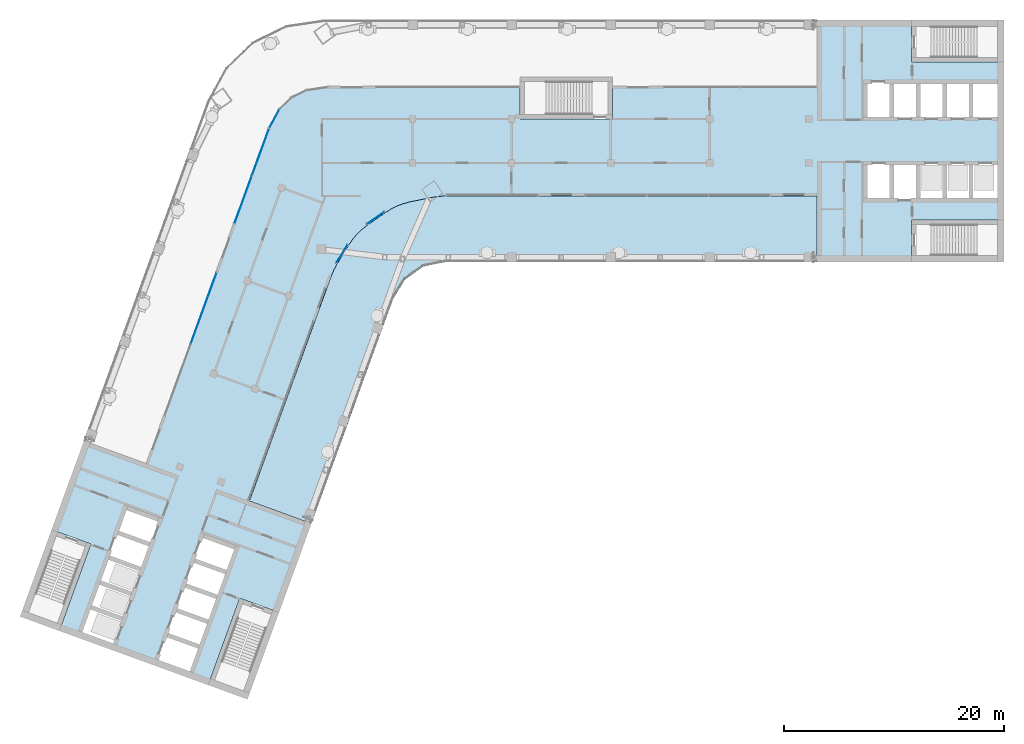
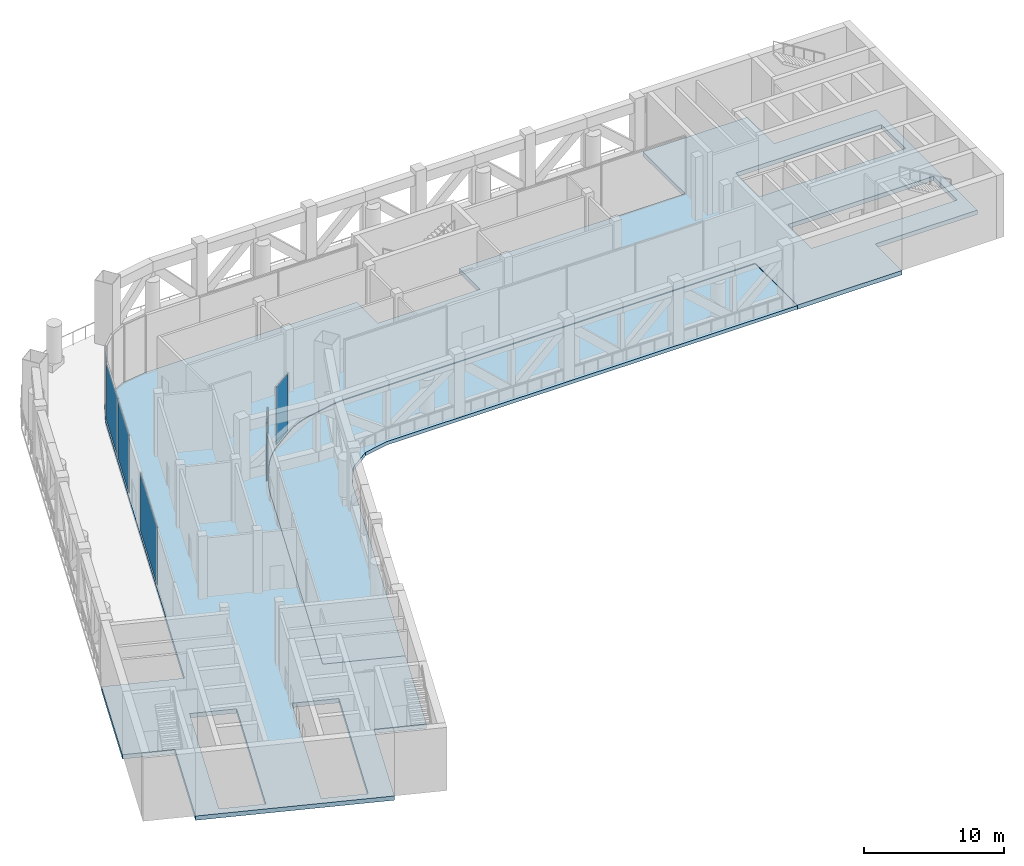
# One storey, part 8 of 19: 6 plates, 2 slabs, 5 elements without a shape of their own.
"""IFC4 building model written with IfcOpenShell, lengths in metres."""

import ifcopenshell
import ifcopenshell.guid

model = None  # the IFC model being written
_history = None  # IfcOwnerHistory: only IFC2X3 demands one
_inside = {}  # id of a spatial element -> (the spatial element, [elements in it])
_under = {}  # id of a project, library or spatial element -> (it, [spatial elements below it])
_declared = {}  # id of a project -> (the project, [libraries it declares])
_typed = {}  # id of a type object -> (the type object, [elements of that type])
_made_of = {}  # id of a material, layer set ... -> (it, [elements and type objects made of it])


def new_model(schema):
    """Start an empty IFC model of exactly this schema.

    Asked for "IFC4X3", IfcOpenShell would pick the latest addendum, in which some entities
    have other attributes; the version numbers below select the first issue.
    IFC2X3 requires an IfcOwnerHistory on every rooted entity: one is made here for all.
    """
    global model, _history
    if schema == "IFC4X3":
        model = ifcopenshell.file(schema_version=(4, 3, 0, 0))
    else:
        model = ifcopenshell.file(schema=schema)
    _inside.clear()
    _under.clear()
    _declared.clear()
    _typed.clear()
    _made_of.clear()
    _history = None
    if model.schema == "IFC2X3":
        org = make("IfcOrganization", Name="unknown")
        user = make(
            "IfcPersonAndOrganization",
            ThePerson=make("IfcPerson", FamilyName="unknown"),
            TheOrganization=org,
        )
        app = make(
            "IfcApplication",
            ApplicationDeveloper=org,
            Version="unknown",
            ApplicationFullName="unknown",
            ApplicationIdentifier="unknown",
        )
        _history = make(
            "IfcOwnerHistory",
            OwningUser=user,
            OwningApplication=app,
            ChangeAction="ADDED",
            CreationDate=0,
        )
    return model


def make(cls, **values):
    """One entity of the class cls with the attributes given. An attribute that is None is left unset."""
    return model.create_entity(
        cls, **{name: value for name, value in values.items() if value is not None}
    )


def rooted(cls, **values):
    """An entity with a GlobalId (a new one), such as an element, a storey or a relation."""
    return make(cls, GlobalId=ifcopenshell.guid.new(), OwnerHistory=_history, **values)


def si_unit(unit_type, name, prefix=None):
    """IfcSIUnit, for example si_unit("LENGTHUNIT", "METRE", prefix="MILLI")."""
    return make("IfcSIUnit", UnitType=unit_type, Prefix=prefix, Name=name)


def assignment(units):
    """IfcUnitAssignment: the units of a project."""
    return None if units is None else make("IfcUnitAssignment", Units=units)


def point(xyz):
    """IfcCartesianPoint."""
    return None if xyz is None else make("IfcCartesianPoint", Coordinates=xyz)


def direction(xyz):
    """IfcDirection."""
    return None if xyz is None else make("IfcDirection", DirectionRatios=xyz)


def frame(location, z_axis=None, x_axis=None):
    """IfcAxis2Placement3D, a coordinate frame: its origin and axes. An axis left out is left unset."""
    return make(
        "IfcAxis2Placement3D",
        Location=point(location),
        Axis=direction(z_axis),
        RefDirection=direction(x_axis),
    )


def frame_2d(location, x_axis=None):
    """IfcAxis2Placement2D, a coordinate frame in the plane: its origin and x axis."""
    return make(
        "IfcAxis2Placement2D", Location=point(location), RefDirection=direction(x_axis)
    )


def origin():
    """The frame at (0, 0, 0) with its axes left unset."""
    return frame((0.0, 0.0, 0.0))


def origin_2d():
    """The frame at (0, 0) in the plane with its x axis left unset."""
    return frame_2d((0.0, 0.0))


def place(relative_to, where):
    """IfcLocalPlacement: puts the frame where relative to a parent placement (None: the world)."""
    return make(
        "IfcLocalPlacement", PlacementRelTo=relative_to, RelativePlacement=where
    )


def context(
    kind, dimensions, precision=None, world=None, true_north=None, identifier=None
):
    """IfcGeometricRepresentationContext, for example the 3D "Model" context."""
    return make(
        "IfcGeometricRepresentationContext",
        ContextIdentifier=identifier,
        ContextType=kind,
        CoordinateSpaceDimension=dimensions,
        Precision=precision,
        WorldCoordinateSystem=world,
        TrueNorth=true_north,
    )


def subcontext(parent, identifier, kind, view, scale=None):
    """IfcGeometricRepresentationSubContext, for example "Body" below "Model"."""
    return make(
        "IfcGeometricRepresentationSubContext",
        ContextIdentifier=identifier,
        ContextType=kind,
        ParentContext=parent,
        TargetScale=scale,
        TargetView=view,
    )


def project(units=None, contexts=None):
    """IfcProject with its units and contexts."""
    return rooted(
        "IfcProject",
        Name="project",
        RepresentationContexts=contexts,
        UnitsInContext=assignment(units),
    )


def spatial(cls, under=None, at=None, **own):
    """A site, building, storey or space (cls), placed at a placement, below another one or the project."""
    s = rooted(cls, ObjectPlacement=at, **own)
    if under is not None:
        _under.setdefault(under.id(), (under, []))[1].append(s)
    return s


def polyline(points):
    """IfcPolyline through the points."""
    return make("IfcPolyline", Points=[point(p) for p in points])


def profile(cls, at=None, kind="AREA", **sizes):
    """A parametric profile (cls). Its sizes go by their IFC names, for example OverallWidth=200.0."""
    return make(cls, ProfileType=kind, Position=at, **sizes)


def rectangle(**sizes):
    """IfcRectangleProfileDef."""
    return profile("IfcRectangleProfileDef", **sizes)


def outline(outer, holes=None, kind="AREA"):
    """IfcArbitraryClosedProfileDef: a profile drawn as a closed curve; with holes, ...WithVoids."""
    if holes is None:
        return make("IfcArbitraryClosedProfileDef", ProfileType=kind, OuterCurve=outer)
    return make(
        "IfcArbitraryProfileDefWithVoids",
        ProfileType=kind,
        OuterCurve=outer,
        InnerCurves=holes,
    )


def extrude(swept, where, along, depth):
    """IfcExtrudedAreaSolid: the profile swept, set in the frame where, extruded along a direction by depth."""
    return make(
        "IfcExtrudedAreaSolid",
        SweptArea=swept,
        Position=where,
        ExtrudedDirection=direction(along),
        Depth=depth,
    )


def shape(context_of_items, identifier, shape_type, items):
    """IfcShapeRepresentation: the items that make up one representation, for example the "Body"."""
    return make(
        "IfcShapeRepresentation",
        ContextOfItems=context_of_items,
        RepresentationIdentifier=identifier,
        RepresentationType=shape_type,
        Items=items,
    )


def material(Name=None, Category=None):
    """IfcMaterial."""
    return make("IfcMaterial", Name=Name, Category=Category)


def layer(
    of_material, thickness, ventilated=None, Name=None, Category=None, Priority=None
):
    """IfcMaterialLayer: one layer of a wall or slab, of a material (None: an air gap)."""
    return make(
        "IfcMaterialLayer",
        Material=of_material,
        LayerThickness=thickness,
        IsVentilated=ventilated,
        Name=Name,
        Category=Category,
        Priority=Priority,
    )


def layer_set(layers, Name=None):
    """IfcMaterialLayerSet."""
    return make("IfcMaterialLayerSet", MaterialLayers=layers, LayerSetName=Name)


def made_of(thing, what):
    """Note that an element or type object is made of a material, layer set ...; save() writes the relation."""
    if what is not None:
        _made_of.setdefault(what.id(), (what, []))[1].append(thing)
    return thing


def type_object(cls, material=None, **own):
    """A type object (cls), such as IfcWallType, which elements share."""
    return made_of(rooted(cls, **own), material)


def element(
    cls,
    number,
    at=None,
    inside=None,
    cuts=None,
    type_object=None,
    material=None,
    context=None,
    identifier="Body",
    shape_type=None,
    held_by="IfcProductDefinitionShape",
    body=None,
    shapes=None,
    **own,
):
    """One element of the class cls, such as IfcWall. Its Tag is "e" and its number.

    at: its placement. inside: the storey or other place that contains it. cuts: it is an
    opening in that element (IfcRelVoidsElement). A single representation is given by context,
    identifier, shape_type and body (its items); several are given by shapes. held_by: the class
    of the entity that holds the representations. save() writes the other relations.
    """
    e = rooted(cls, Tag="e%d" % number, ObjectPlacement=at, **own)
    if body is not None:
        shapes = [shape(context, identifier, shape_type, body)]
    if shapes is not None:
        e.Representation = make(held_by, Representations=shapes)
    if inside is not None:
        _inside.setdefault(inside.id(), (inside, []))[1].append(e)
    if cuts is not None:
        rooted(
            "IfcRelVoidsElement", RelatingBuildingElement=cuts, RelatedOpeningElement=e
        )
    if type_object is not None:
        _typed.setdefault(type_object.id(), (type_object, []))[1].append(e)
    return made_of(e, material)


def aggregate(whole, parts):
    """IfcRelAggregates: a whole, such as a stair, and the parts it consists of."""
    return rooted("IfcRelAggregates", RelatingObject=whole, RelatedObjects=parts)


def save(model, path):
    """Write the relations noted so far, then the file.

    IfcRelAggregates (storeys below a building ...), IfcRelContainedInSpatialStructure (elements
    in a storey), IfcRelDefinesByType, IfcRelAssociatesMaterial and IfcRelDeclares: one each for
    every whole, place, type object, material and project.
    """
    for whole, parts in _under.values():
        aggregate(whole, parts)
    for where, things in _inside.values():
        rooted(
            "IfcRelContainedInSpatialStructure",
            RelatedElements=things,
            RelatingStructure=where,
        )
    for kind, things in _typed.values():
        rooted("IfcRelDefinesByType", RelatedObjects=things, RelatingType=kind)
    for what, things in _made_of.values():
        rooted("IfcRelAssociatesMaterial", RelatedObjects=things, RelatingMaterial=what)
    for by, libraries in _declared.values():
        rooted("IfcRelDeclares", RelatingContext=by, RelatedDefinitions=libraries)
    model.write(path)


model = new_model("IFC4")

# Units and contexts
model_context = context("Model", 3, precision=1e-05, world=origin(), true_north=direction((0.0, 1.0)))
body_context = subcontext(model_context, "Body", "Model", "MODEL_VIEW")
ifc_project = project(units=[si_unit("LENGTHUNIT", "METRE"), si_unit("AREAUNIT", "SQUARE_METRE"), si_unit("VOLUMEUNIT", "CUBIC_METRE"), si_unit("PLANEANGLEUNIT", "RADIAN"), si_unit("MASSUNIT", "GRAM", prefix="KILO")], contexts=[model_context])

# Site, building, storey
site_placement = place(None, origin())
site = spatial("IfcSite", under=ifc_project, at=site_placement, CompositionType="ELEMENT")
building_placement = place(site_placement, origin())
building = spatial("IfcBuilding", under=site, at=building_placement, Name="Skarvind Civic Tower", CompositionType="ELEMENT")
storey_placement = place(building_placement, frame((0.0, 0.0, 129.0)))
storey = spatial("IfcBuildingStorey", under=building, at=storey_placement, Name="L30", CompositionType="ELEMENT", Elevation=129.0)

# Curtain wall, plate
ifc_material_1 = material(Name="Aluminium alloy 6063 and laminated glass", Category="aluminium")
curtain_wall_type = type_object("IfcCurtainWallType", Name="CW3 SEPARATOR INNER GLAZING", PredefinedType="NOTDEFINED", material=ifc_material_1)
curtain_wall_1_placement = place(storey_placement, origin())
curtain_wall_1 = element("IfcCurtainWall", 1, at=curtain_wall_1_placement, inside=storey, type_object=curtain_wall_type, Name="SEPARATOR INNER GLAZING", PredefinedType="NOTDEFINED")
ifc_material_2 = material(Name="Laminated low-iron glass", Category="glass")
ifc_layer_1 = layer(ifc_material_2, 0.031982421875)
ifc_layer_set_1 = layer_set([ifc_layer_1], Name="CW3 GLASS PANEL 32")
plate_type = type_object("IfcPlateType", Name="CW3 GLASS PANEL 32", PredefinedType="CURTAIN_PANEL", material=ifc_layer_set_1)
plate_1_placement = place(storey_placement, frame((47.825927734375, 117.737548828125, 0.06005859375), z_axis=(0.0, 0.0, 1.0), x_axis=(-0.522416226992, -0.852690615508, 0.0)))
plate_1 = element("IfcPlate", 2, at=plate_1_placement, type_object=plate_type, Name="CW3 panel 1.1", PredefinedType="CURTAIN_PANEL", context=body_context, shape_type="SweptSolid", body=[
    extrude(rectangle(XDim=1.92236328125, YDim=0.031982421875, at=origin_2d()), origin(), (0.0, 0.0, 1.0), 5.0048828125),
])
aggregate(curtain_wall_1, [plate_1])

curtain_wall_2_placement = place(storey_placement, origin())
curtain_wall_2 = element("IfcCurtainWall", 3, at=curtain_wall_2_placement, inside=storey, type_object=curtain_wall_type, Name="SEPARATOR INNER GLAZING", PredefinedType="NOTDEFINED")
plate_2_placement = place(storey_placement, frame((50.8984375, 121.004150390625, 0.06005859375), z_axis=(0.0, 0.0, 1.0), x_axis=(-0.819146796665, -0.573583930662, 0.0)))
plate_2 = element("IfcPlate", 4, at=plate_2_placement, type_object=plate_type, Name="CW3 panel 1.1", PredefinedType="CURTAIN_PANEL", context=body_context, shape_type="SweptSolid", body=[
    extrude(rectangle(XDim=1.92236328125, YDim=0.031982421875, at=origin_2d()), origin(), (0.0, 0.0, 1.0), 5.0048828125),
])
aggregate(curtain_wall_2, [plate_2])

curtain_wall_3_placement = place(storey_placement, origin())
curtain_wall_3 = element("IfcCurtainWall", 5, at=curtain_wall_3_placement, inside=storey, type_object=curtain_wall_type, Name="SEPARATOR INNER GLAZING", PredefinedType="NOTDEFINED")
plate_3_placement = place(storey_placement, frame((41.68505859375, 130.04150390625, 0.06005859375), z_axis=(0.0, 0.0, 1.0), x_axis=(0.476545305268, 0.879149914421, 0.0)))
plate_3 = element("IfcPlate", 6, at=plate_3_placement, type_object=plate_type, Name="CW3 panel 1.1", PredefinedType="CURTAIN_PANEL", context=body_context, shape_type="SweptSolid", body=[
    extrude(rectangle(XDim=1.89501953125, YDim=0.031982421875, at=origin_2d()), origin(), (0.0, 0.0, 1.0), 5.0048828125),
])
aggregate(curtain_wall_3, [plate_3])

curtain_wall_4_placement = place(storey_placement, origin())
curtain_wall_4 = element("IfcCurtainWall", 7, at=curtain_wall_4_placement, inside=storey, type_object=curtain_wall_type, Name="SEPARATOR INNER GLAZING", PredefinedType="NOTDEFINED")
plate_4_placement = place(storey_placement, frame((35.25830078125, 112.814208984375, 0.06005859375), z_axis=(0.0, 0.0, 1.0), x_axis=(0.342021813854, 0.939692012762, 0.0)))
plate_4 = element("IfcPlate", 8, at=plate_4_placement, type_object=plate_type, Name="CW3 panel 2.1", PredefinedType="CURTAIN_PANEL", context=body_context, shape_type="SweptSolid", body=[
    extrude(rectangle(XDim=6.86572265625, YDim=0.031982421875, at=origin_2d()), origin(), (0.0, 0.0, 1.0), 5.0048828125),
])
aggregate(curtain_wall_4, [plate_4])

# Curtain wall, plates
curtain_wall_5_placement = place(storey_placement, origin())
curtain_wall_5 = element("IfcCurtainWall", 9, at=curtain_wall_5_placement, inside=storey, type_object=curtain_wall_type, Name="SEPARATOR INNER GLAZING", PredefinedType="NOTDEFINED")
plate_5_placement = place(storey_placement, frame((38.837158203125, 122.64697265625, 0.06005859375), z_axis=(0.0, 0.0, 1.0), x_axis=(0.342026142657, 0.939690437186, 0.0)))
plate_5 = element("IfcPlate", 10, at=plate_5_placement, type_object=plate_type, Name="CW3 panel 1.1", PredefinedType="CURTAIN_PANEL", context=body_context, shape_type="SweptSolid", body=[
    extrude(rectangle(XDim=4.547119140625, YDim=0.031982421875, at=origin_2d()), origin(), (0.0, 0.0, 1.0), 5.0048828125),
])
plate_6_placement = place(storey_placement, frame((40.412841796875, 126.976318359375, 0.06005859375), z_axis=(0.0, 0.0, 1.0), x_axis=(0.342026142657, 0.939690437186, 0.0)))
plate_6 = element("IfcPlate", 11, at=plate_6_placement, type_object=plate_type, Name="CW3 panel 2.1", PredefinedType="CURTAIN_PANEL", context=body_context, shape_type="SweptSolid", body=[
    extrude(rectangle(XDim=4.547119140625, YDim=0.031982421875, at=origin_2d()), origin(), (0.0, 0.0, 1.0), 5.0048828125),
])
aggregate(curtain_wall_5, [plate_5, plate_6])

# Slabs
ifc_material_3 = material(Name="Concrete C50", Category="concrete")
ifc_layer_2 = layer(ifc_material_3, 0.375)
ifc_layer_set_2 = layer_set([ifc_layer_2], Name="Floor slab 375 C50")
slab_type_1 = type_object("IfcSlabType", Name="Floor slab 375 C50", PredefinedType="FLOOR", material=ifc_layer_set_2)
slab_1_placement = place(storey_placement, frame((0.0, 0.0, -0.375)))
element("IfcSlab", 12, at=slab_1_placement, inside=storey, type_object=slab_type_1, Name="Floor slab L30 1", PredefinedType="FLOOR", context=body_context, shape_type="SweptSolid", body=[
    extrude(outline(polyline([(41.1171875, 129.203369140625), (30.014892578125, 98.7001953125), (24.376708984375, 100.75244140625), (22.904541015625, 96.70751953125), (19.475341796875, 87.2861328125), (19.41748046875, 87.126708984375), (21.435302734375, 92.6708984375), (25.006103515625, 91.371337890625), (22.13330078125, 83.477783203125), (36.886474609375, 78.108154296875), (35.664794921875, 78.552734375), (38.53759765625, 86.4462890625), (42.108642578125, 85.146484375), (42.015380859375, 84.890625), (45.050048828125, 93.227783203125), (39.411865234375, 95.280029296875), (46.855712890625, 115.732421875), (47.089599609375, 116.28662109375), (47.377685546875, 116.814697265625), (48.444580078125, 118.55615234375), (48.79248046875, 119.0634765625), (49.1904296875, 119.532470703125), (49.63427734375, 119.95849609375), (50.119384765625, 120.336669921875), (51.79248046875, 121.508056640625), (52.313720703125, 121.83447265625), (52.865478515625, 122.10595703125), (53.4423828125, 122.3193359375), (54.0380859375, 122.47265625), (56.03955078125, 122.879638671875), (56.63427734375, 122.9697265625), (57.235107421875, 123.0), (91.0, 123.0), (91.0, 117.0), (99.60009765625, 117.0), (99.60009765625, 120.800048828125), (108.0, 120.800048828125), (108.0, 135.199951171875), (99.60009765625, 135.199951171875), (99.60009765625, 139.0), (91.0, 139.0), (91.0, 133.0), (72.39990234375, 133.0), (72.39990234375, 130.0), (64.0, 130.0), (64.0, 133.0), (46.539306640625, 133.0), (44.5458984375, 132.70361328125), (43.17724609375, 132.031494140625), (42.077392578125, 130.97509765625), (41.1171875, 129.203369140625)]), holes=[polyline([(32.625244140625, 85.40576171875), (32.625244140625, 85.40576171875), (33.446044921875, 87.660888671875), (34.26708984375, 89.916259765625), (35.087890625, 92.17138671875), (38.28271484375, 91.008544921875), (37.4619140625, 88.75341796875), (36.64111328125, 86.498046875), (35.8203125, 84.242919921875), (35.8203125, 84.242919921875), (34.99951171875, 81.987548828125), (34.178466796875, 79.732421875), (30.983642578125, 80.89501953125), (31.804443359375, 83.150390625), (32.625244140625, 85.40576171875)]), polyline([(25.671630859375, 87.9365234375), (25.671630859375, 87.9365234375), (26.492431640625, 90.19189453125), (27.313232421875, 92.447021484375), (28.134033203125, 94.702392578125), (31.3291015625, 93.53955078125), (30.50830078125, 91.2841796875), (29.6875, 89.029052734375), (28.866455078125, 86.773681640625), (28.866455078125, 86.773681640625), (28.045654296875, 84.5185546875), (27.224853515625, 82.26318359375), (24.02978515625, 83.426025390625), (24.8505859375, 85.681396484375), (25.671630859375, 87.9365234375)]), polyline([(100.199951171875, 126.0), (102.60009765625, 126.0), (105.0, 126.0), (107.39990234375, 126.0), (107.39990234375, 122.60009765625), (105.0, 122.60009765625), (102.60009765625, 122.60009765625), (100.199951171875, 122.60009765625), (97.800048828125, 122.60009765625), (95.39990234375, 122.60009765625), (95.39990234375, 126.0), (97.800048828125, 126.0), (100.199951171875, 126.0)]), polyline([(102.60009765625, 133.39990234375), (105.0, 133.39990234375), (107.39990234375, 133.39990234375), (107.39990234375, 130.0), (105.0, 130.0), (102.60009765625, 130.0), (100.199951171875, 130.0), (97.800048828125, 130.0), (95.39990234375, 130.0), (95.39990234375, 133.39990234375), (97.800048828125, 133.39990234375), (100.199951171875, 133.39990234375), (102.60009765625, 133.39990234375)])]), origin(), (0.0, 0.0, 1.0), 0.375),
])
ifc_layer_3 = layer(ifc_material_3, 0.300048828125)
ifc_layer_set_3 = layer_set([ifc_layer_3], Name="Terrace slab 300 C50")
slab_type_2 = type_object("IfcSlabType", Name="Terrace slab 300 C50", PredefinedType="FLOOR", material=ifc_layer_set_3)
slab_2_placement = place(storey_placement, frame((0.0, 0.0, -0.35009765625)))
element("IfcSlab", 13, at=slab_2_placement, inside=storey, type_object=slab_type_2, Name="Terrace slab L30 2", PredefinedType="FLOOR", context=body_context, shape_type="SweptSolid", body=[
    extrude(outline(polyline([(55.23388671875, 116.593017578125), (57.235107421875, 117.0), (91.0, 117.0), (91.0, 123.0), (57.235107421875, 123.0), (56.63427734375, 122.9697265625), (56.03955078125, 122.879638671875), (54.0380859375, 122.47265625), (53.4423828125, 122.3193359375), (52.865478515625, 122.10595703125), (52.313720703125, 121.83447265625), (51.79248046875, 121.508056640625), (50.119384765625, 120.336669921875), (49.63427734375, 119.95849609375), (49.1904296875, 119.532470703125), (48.79248046875, 119.0634765625), (48.444580078125, 118.55615234375), (47.377685546875, 116.814697265625), (47.089599609375, 116.28662109375), (46.855712890625, 115.732421875), (39.411865234375, 95.280029296875), (45.050048828125, 93.227783203125), (52.493896484375, 113.68017578125), (53.560791015625, 115.421630859375), (55.23388671875, 116.593017578125)])), origin(), (0.0, 0.0, 1.0), 0.300048828125),
])

save(model, "model.ifc")
